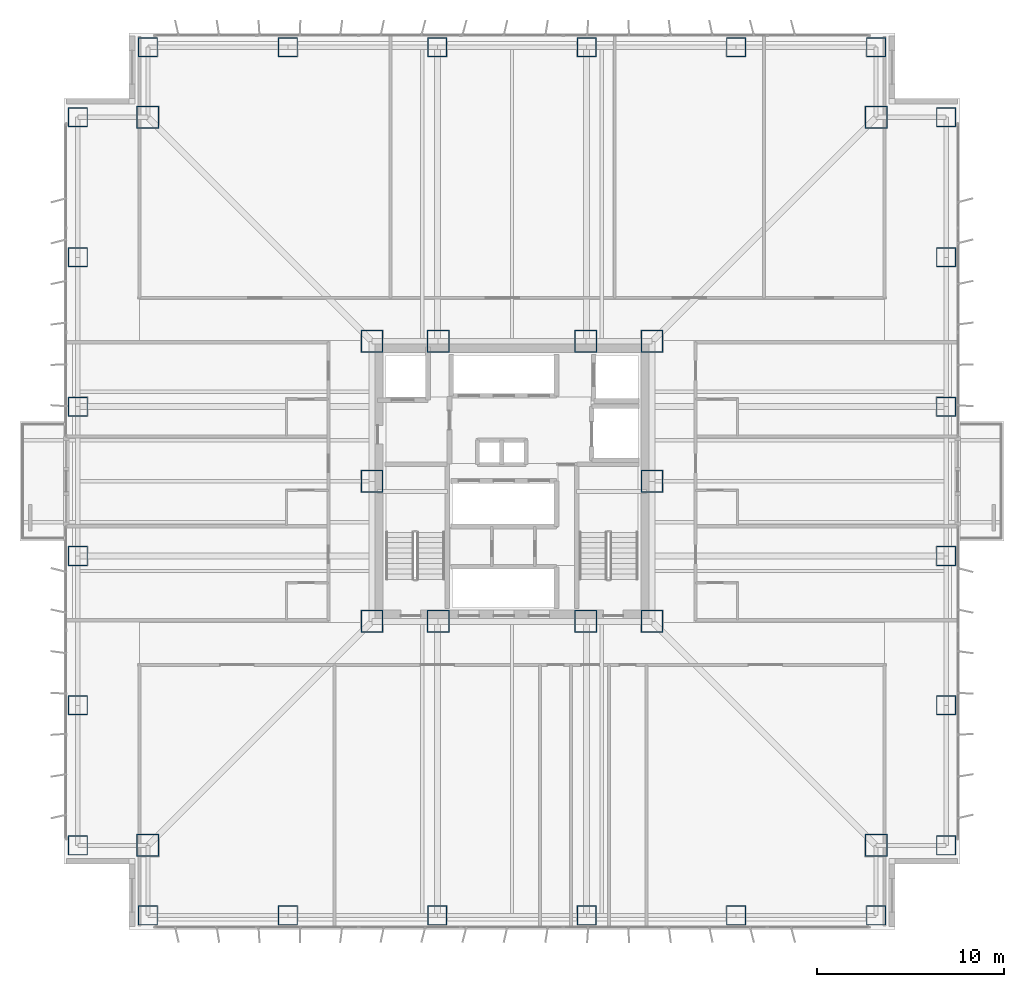
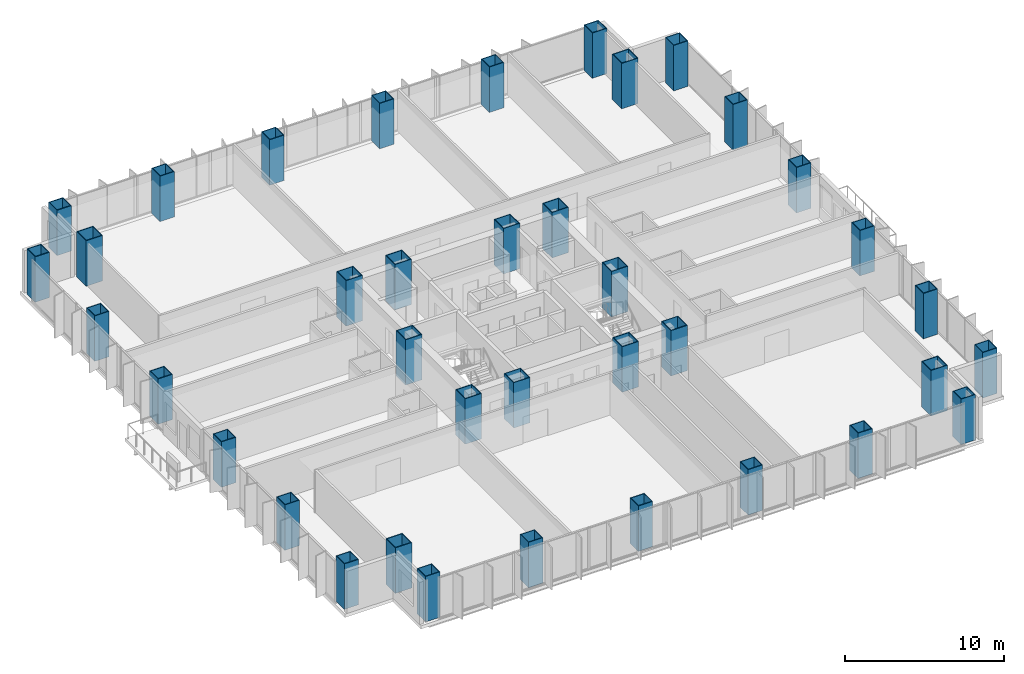
# One storey, part 1 of 16: 38 columns.
"""IFC4 building model written with IfcOpenShell, lengths in metres."""

from ifc_helpers import new_model, si_unit, direction, frame, origin, origin_2d, place, context, subcontext, project, spatial, hollow_rectangle, extrude, material, material_profile, profile_set, type_object, element, save


model = new_model("IFC4")

# Units and contexts
model_context = context("Model", 3, precision=1e-05, world=origin(), true_north=direction((0.0, 1.0)))
body_context = subcontext(model_context, "Body", "Model", "MODEL_VIEW")
ifc_project = project(units=[si_unit("LENGTHUNIT", "METRE"), si_unit("AREAUNIT", "SQUARE_METRE"), si_unit("VOLUMEUNIT", "CUBIC_METRE"), si_unit("PLANEANGLEUNIT", "RADIAN"), si_unit("MASSUNIT", "GRAM", prefix="KILO")], contexts=[model_context])

# Site, building, storey
site_placement = place(None, origin())
site = spatial("IfcSite", under=ifc_project, at=site_placement, CompositionType="ELEMENT")
building_placement = place(site_placement, origin())
building = spatial("IfcBuilding", under=site, at=building_placement, Name="Trevonay Congress Spire", CompositionType="ELEMENT")
storey_placement = place(building_placement, frame((0.0, 0.0, 48.0)))
storey = spatial("IfcBuildingStorey", under=building, at=storey_placement, Name="L11", CompositionType="ELEMENT", Elevation=48.0)

# Columns
ifc_material = material(Name="Steel ASTM A572 Grade 50", Category="steel")
ifc_material_profile_1 = material_profile(ifc_material, hollow_rectangle(XDim=1.199951171875, YDim=1.199951171875, WallThickness=0.054931640625, at=origin_2d()), Name="BOX 1200x1200x55")
ifc_profile_set_1 = profile_set([ifc_material_profile_1], Name="Steel ASTM A572 Grade 50")
column_type_1 = type_object("IfcColumnType", Name="COL-CORE-BOX1200", PredefinedType="COLUMN", material=ifc_profile_set_1)
for number, where, z_axis, x_axis, name in (
    (1, (-7.5, -7.5, 0.0), (0.0, 0.0, 1.0), (1.0, 0.0, 0.0), "L11 column C02 at CC-SW"),
    (2, (-3.949951171875, -7.5, 0.0), (0.0, 0.0, 1.0), (1.0, 0.0, 0.0), "L11 column C02 at CC-SMW"),
    (3, (3.949951171875, -7.5, 0.0), (0.0, 0.0, 1.0), (1.0, 0.0, 0.0), "L11 column C02 at CC-SME"),
    (4, (7.5, -7.5, 0.0), (0.0, 0.0, 1.0), (1.0, 0.0, 0.0), "L11 column C02 at CC-SE"),
    (5, (7.5, 0.0, 0.0), (0.0, 0.0, 1.0), (1.0, 0.0, 0.0), "L11 column C02 at CC-E"),
    (6, (7.5, 7.5, 0.0), (0.0, 0.0, 1.0), (1.0, 0.0, 0.0), "L11 column C02 at CC-NE"),
    (7, (3.949951171875, 7.5, 0.0), (0.0, 0.0, 1.0), (1.0, 0.0, 0.0), "L11 column C02 at CC-NME"),
    (8, (-3.949951171875, 7.5, 0.0), (0.0, 0.0, 1.0), (1.0, 0.0, 0.0), "L11 column C02 at CC-NMW"),
    (9, (-7.5, 7.5, 0.0), (0.0, 0.0, 1.0), (1.0, 0.0, 0.0), "L11 column C02 at CC-NW"),
    (10, (-7.5, 0.0, 0.0), (0.0, 0.0, 1.0), (1.0, 0.0, 0.0), "L11 column C02 at CC-W"),
):
    element("IfcColumn", number, at=place(storey_placement, frame(where, z_axis=z_axis, x_axis=x_axis)), inside=storey, type_object=column_type_1, Name=name, PredefinedType="COLUMN", context=body_context, shape_type="SweptSolid", body=[
        extrude(hollow_rectangle(XDim=1.199951171875, YDim=1.199951171875, WallThickness=0.054931640625, at=origin_2d()), origin(), (0.0, 0.0, 1.0), 3.5),
    ])
ifc_material_profile_2 = material_profile(ifc_material, hollow_rectangle(XDim=1.199951171875, YDim=1.199951171875, WallThickness=0.054931640625, at=origin_2d()), Name="BOX 1200x1200x55")
ifc_profile_set_2 = profile_set([ifc_material_profile_2], Name="Steel ASTM A572 Grade 50")
column_type_2 = type_object("IfcColumnType", Name="COL-NOTCH-BOX1200", PredefinedType="COLUMN", material=ifc_profile_set_2)
for number, where, z_axis, x_axis, name in (
    (11, (-19.5, -19.5, 0.0), (0.0, 0.0, 1.0), (1.0, 0.0, 0.0), "L11 column C19 at NC-SW"),
    (12, (19.5, -19.5, 0.0), (0.0, 0.0, 1.0), (1.0, 0.0, 0.0), "L11 column C19 at NC-SE"),
    (13, (19.5, 19.5, 0.0), (0.0, 0.0, 1.0), (1.0, 0.0, 0.0), "L11 column C19 at NC-NE"),
    (14, (-19.5, 19.5, 0.0), (0.0, 0.0, 1.0), (1.0, 0.0, 0.0), "L11 column C19 at NC-NW"),
):
    element("IfcColumn", number, at=place(storey_placement, frame(where, z_axis=z_axis, x_axis=x_axis)), inside=storey, type_object=column_type_2, Name=name, PredefinedType="COLUMN", context=body_context, shape_type="SweptSolid", body=[
        extrude(hollow_rectangle(XDim=1.199951171875, YDim=1.199951171875, WallThickness=0.054931640625, at=origin_2d()), origin(), (0.0, 0.0, 1.0), 3.5),
    ])
ifc_material_profile_3 = material_profile(ifc_material, hollow_rectangle(XDim=1.050048828125, YDim=1.050048828125, WallThickness=0.050048828125, at=origin_2d()), Name="BOX 1050x1050x50")
ifc_profile_set_3 = profile_set([ifc_material_profile_3], Name="Steel ASTM A572 Grade 50")
column_type_3 = type_object("IfcColumnType", Name="COL-TUBE-BOX1050", PredefinedType="COLUMN", material=ifc_profile_set_3)
for number, where, z_axis, x_axis, name in (
    (15, (-19.5, -23.25, 0.0), (0.0, 0.0, 1.0), (1.0, 0.0, 0.0), "L11 column C14 at TS-1"),
    (16, (-19.5, 23.25, 0.0), (0.0, 0.0, 1.0), (1.0, 0.0, 0.0), "L11 column C14 at TN-1"),
    (17, (-23.25, -19.5, 0.0), (0.0, 0.0, 1.0), (1.0, 0.0, 0.0), "L11 column C14 at TW-1"),
    (18, (23.25, -19.5, 0.0), (0.0, 0.0, 1.0), (1.0, 0.0, 0.0), "L11 column C14 at TE-1"),
    (19, (-12.0, -23.25, 0.0), (0.0, 0.0, 1.0), (1.0, 0.0, 0.0), "L11 column C14 at TS-2"),
    (20, (-12.0, 23.25, 0.0), (0.0, 0.0, 1.0), (1.0, 0.0, 0.0), "L11 column C14 at TN-2"),
    (21, (-23.25, -12.0, 0.0), (0.0, 0.0, 1.0), (1.0, 0.0, 0.0), "L11 column C14 at TW-2"),
    (22, (23.25, -12.0, 0.0), (0.0, 0.0, 1.0), (1.0, 0.0, 0.0), "L11 column C14 at TE-2"),
    (23, (-4.0, -23.25, 0.0), (0.0, 0.0, 1.0), (1.0, 0.0, 0.0), "L11 column C14 at TS-3"),
    (24, (-4.0, 23.25, 0.0), (0.0, 0.0, 1.0), (1.0, 0.0, 0.0), "L11 column C14 at TN-3"),
    (25, (-23.25, -4.0, 0.0), (0.0, 0.0, 1.0), (1.0, 0.0, 0.0), "L11 column C14 at TW-3"),
    (26, (23.25, -4.0, 0.0), (0.0, 0.0, 1.0), (1.0, 0.0, 0.0), "L11 column C14 at TE-3"),
    (27, (4.0, -23.25, 0.0), (0.0, 0.0, 1.0), (1.0, 0.0, 0.0), "L11 column C14 at TS-4"),
    (28, (4.0, 23.25, 0.0), (0.0, 0.0, 1.0), (1.0, 0.0, 0.0), "L11 column C14 at TN-4"),
    (29, (-23.25, 4.0, 0.0), (0.0, 0.0, 1.0), (1.0, 0.0, 0.0), "L11 column C14 at TW-4"),
    (30, (23.25, 4.0, 0.0), (0.0, 0.0, 1.0), (1.0, 0.0, 0.0), "L11 column C14 at TE-4"),
    (31, (12.0, -23.25, 0.0), (0.0, 0.0, 1.0), (1.0, 0.0, 0.0), "L11 column C14 at TS-5"),
    (32, (12.0, 23.25, 0.0), (0.0, 0.0, 1.0), (1.0, 0.0, 0.0), "L11 column C14 at TN-5"),
    (33, (-23.25, 12.0, 0.0), (0.0, 0.0, 1.0), (1.0, 0.0, 0.0), "L11 column C14 at TW-5"),
    (34, (23.25, 12.0, 0.0), (0.0, 0.0, 1.0), (1.0, 0.0, 0.0), "L11 column C14 at TE-5"),
    (35, (19.5, -23.25, 0.0), (0.0, 0.0, 1.0), (1.0, 0.0, 0.0), "L11 column C14 at TS-6"),
    (36, (19.5, 23.25, 0.0), (0.0, 0.0, 1.0), (1.0, 0.0, 0.0), "L11 column C14 at TN-6"),
    (37, (-23.25, 19.5, 0.0), (0.0, 0.0, 1.0), (1.0, 0.0, 0.0), "L11 column C14 at TW-6"),
    (38, (23.25, 19.5, 0.0), (0.0, 0.0, 1.0), (1.0, 0.0, 0.0), "L11 column C14 at TE-6"),
):
    element("IfcColumn", number, at=place(storey_placement, frame(where, z_axis=z_axis, x_axis=x_axis)), inside=storey, type_object=column_type_3, Name=name, PredefinedType="COLUMN", context=body_context, shape_type="SweptSolid", body=[
        extrude(hollow_rectangle(XDim=1.050048828125, YDim=1.050048828125, WallThickness=0.050048828125, at=origin_2d()), origin(), (0.0, 0.0, 1.0), 3.5),
    ])

save(model, "model.ifc")
